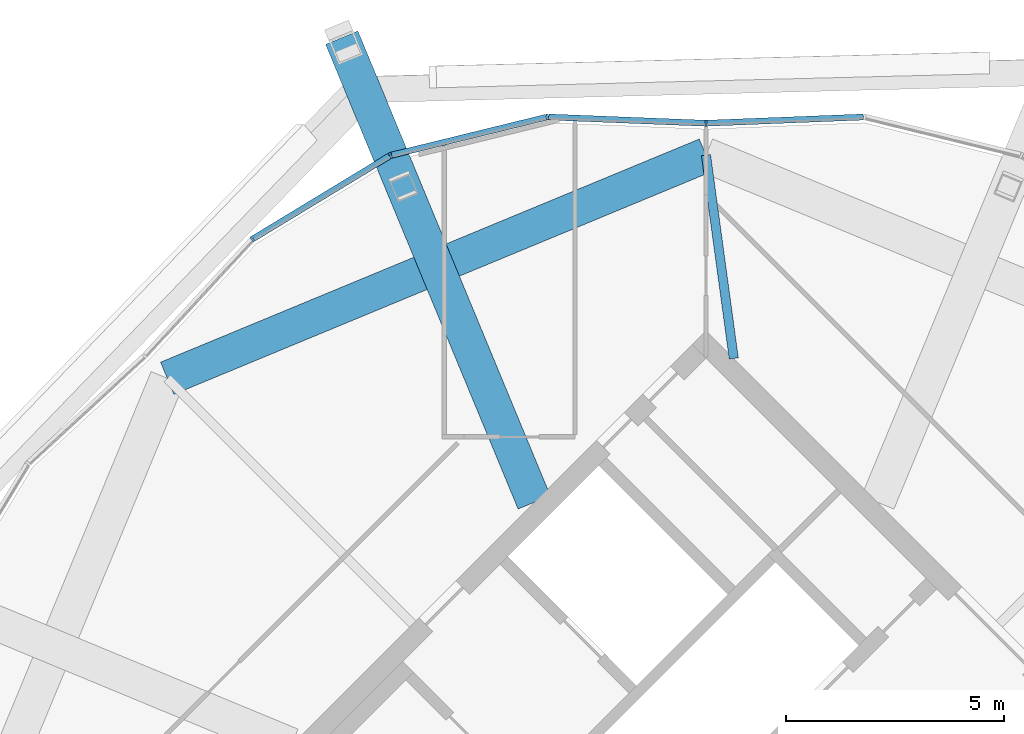
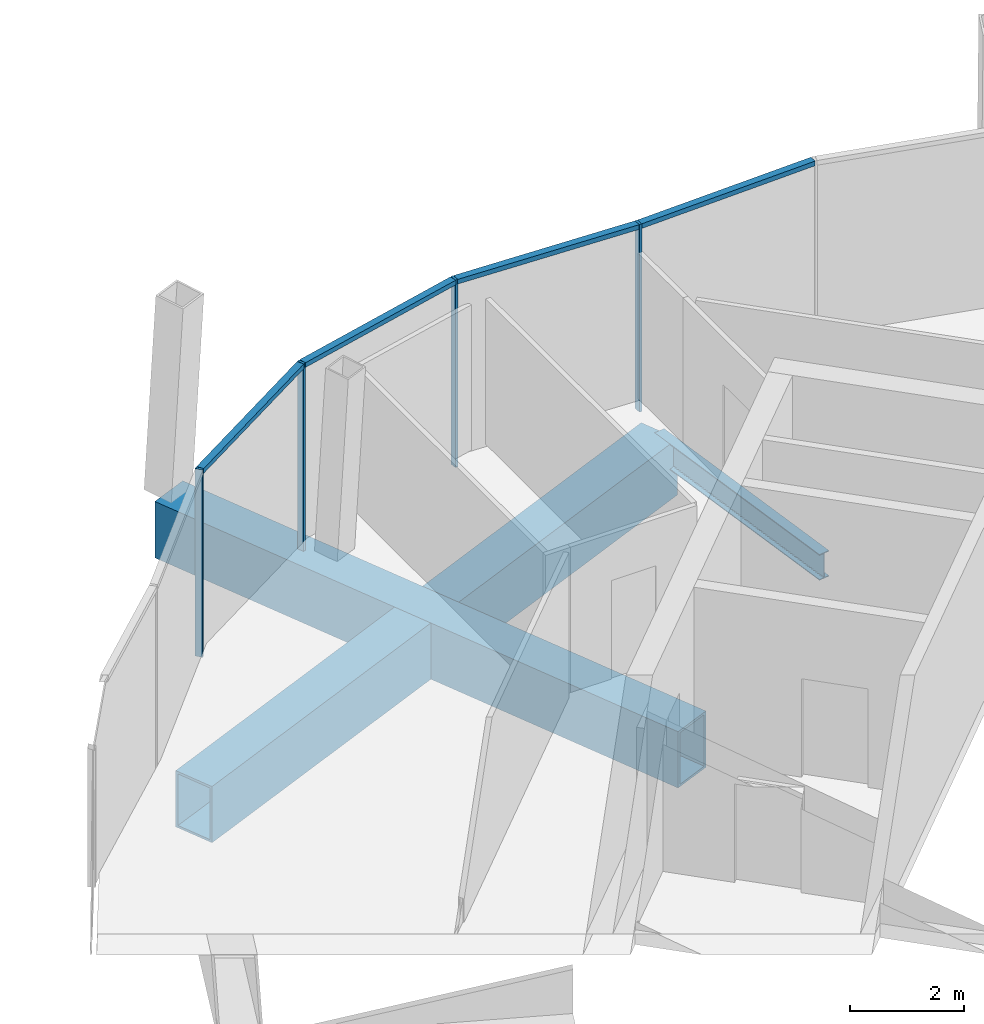
# One storey, part 23 of 34: 8 members, 3 beams, 2 elements without a shape of their own.
"""IFC4 building model written with IfcOpenShell, lengths in metres."""

from ifc_helpers import new_model, si_unit, direction, frame, origin, origin_2d, place, context, subcontext, project, spatial, rectangle, hollow_rectangle, i_section, extrude, material, material_profile, profile_set, type_object, element, aggregate, save


model = new_model("IFC4")

# Units and contexts
model_context = context("Model", 3, precision=1e-05, world=origin(), true_north=direction((0.0, 1.0)))
body_context = subcontext(model_context, "Body", "Model", "MODEL_VIEW")
ifc_project = project(units=[si_unit("LENGTHUNIT", "METRE"), si_unit("AREAUNIT", "SQUARE_METRE"), si_unit("VOLUMEUNIT", "CUBIC_METRE"), si_unit("PLANEANGLEUNIT", "RADIAN"), si_unit("MASSUNIT", "GRAM", prefix="KILO")], contexts=[model_context])

# Site, building, storey
site_placement = place(None, origin())
site = spatial("IfcSite", under=ifc_project, at=site_placement, CompositionType="ELEMENT")
building_placement = place(site_placement, origin())
building = spatial("IfcBuilding", under=site, at=building_placement, Name="Ogive Gate Towers", CompositionType="ELEMENT")
storey_placement = place(building_placement, frame((0.0, 0.0, 294.0)))
storey = spatial("IfcBuildingStorey", under=building, at=storey_placement, Name="L69", CompositionType="ELEMENT", Elevation=294.0)

# Curtain wall, member
ifc_material_1 = material(Name="Pale metal aluminium", Category="aluminium")
curtain_wall_type = type_object("IfcCurtainWallType", Name="Crown lean wall", PredefinedType="NOTDEFINED", material=ifc_material_1)
curtain_wall_1_placement = place(storey_placement, origin())
curtain_wall_1 = element("IfcCurtainWall", 1, at=curtain_wall_1_placement, inside=storey, type_object=curtain_wall_type, Name="CW5 T2 ECW02", PredefinedType="NOTDEFINED")
ifc_material_profile_1 = material_profile(ifc_material_1, rectangle(XDim=0.139892578125, YDim=0.050048828125, at=origin_2d()), Name="50 x 140 aluminium box")
ifc_profile_set_1 = profile_set([ifc_material_profile_1], Name="Pale metal aluminium")
member_type_1 = type_object("IfcMemberType", Name="Crown lean wall mullion 50 x 140", PredefinedType="MULLION", material=ifc_profile_set_1)
member_1_placement = place(storey_placement, frame((35.998779296875, 18.18505859375, -0.300048828125), z_axis=(0.0, 0.0, 1.0), x_axis=(0.039608610093, -0.999215271104, 0.0)))
member_1 = element("IfcMember", 2, at=member_1_placement, type_object=member_type_1, Name="CW5 mullion", PredefinedType="MULLION", context=body_context, shape_type="SweptSolid", body=[
    extrude(rectangle(XDim=0.139892578125, YDim=0.050048828125, at=origin_2d()), origin(), (0.0, 0.0, 1.0), 4.0),
])

# Curtain wall, members
curtain_wall_2_placement = place(storey_placement, origin())
curtain_wall_2 = element("IfcCurtainWall", 3, at=curtain_wall_2_placement, inside=storey, type_object=curtain_wall_type, Name="CW5 T2 ECW03", PredefinedType="NOTDEFINED")
member_2_placement = place(storey_placement, frame((25.6083984375, 15.529296875, -0.300048828125), z_axis=(0.0, 0.0, 1.0), x_axis=(0.632759389826, -0.77434847103, 0.0)))
member_2 = element("IfcMember", 4, at=member_2_placement, type_object=member_type_1, Name="CW5 mullion", PredefinedType="MULLION", context=body_context, shape_type="SweptSolid", body=[
    extrude(rectangle(XDim=0.139892578125, YDim=0.050048828125, at=origin_2d()), origin(), (0.0, 0.0, 1.0), 4.0),
])
member_3_placement = place(storey_placement, frame((28.772705078125, 17.448486328125, -0.300048828125), z_axis=(0.0, 0.0, 1.0), x_axis=(0.382683432365, -0.923879532511, 0.0)))
member_3 = element("IfcMember", 5, at=member_3_placement, type_object=member_type_1, Name="CW5 mullion", PredefinedType="MULLION", context=body_context, shape_type="SweptSolid", body=[
    extrude(rectangle(XDim=0.139892578125, YDim=0.050048828125, at=origin_2d()), origin(), (0.0, 0.0, 1.0), 4.0),
])
member_4_placement = place(storey_placement, frame((32.366943359375, 18.328857421875, -0.300048828125), z_axis=(0.0, 0.0, 1.0), x_axis=(0.100101233848, -0.99497725752, 0.0)))
member_4 = element("IfcMember", 6, at=member_4_placement, type_object=member_type_1, Name="CW5 mullion", PredefinedType="MULLION", context=body_context, shape_type="SweptSolid", body=[
    extrude(rectangle(XDim=0.139892578125, YDim=0.050048828125, at=origin_2d()), origin(), (0.0, 0.0, 1.0), 4.0),
])

# Member
ifc_material_profile_2 = material_profile(ifc_material_1, rectangle(XDim=0.139892578125, YDim=0.10009765625, at=origin_2d()), Name="100 x 140 aluminium box")
ifc_profile_set_2 = profile_set([ifc_material_profile_2], Name="Pale metal aluminium")
member_type_2 = type_object("IfcMemberType", Name="Crown lean wall transom 100 x 140", PredefinedType="USERDEFINED", material=ifc_profile_set_2)
member_5_placement = place(storey_placement, frame((36.023681640625, 18.18603515625, 3.64990234375), z_axis=(0.99921601742, 0.039589778104, 0.0), x_axis=(-0.039589778104, 0.99921601742, 0.0)))
member_5 = element("IfcMember", 7, at=member_5_placement, type_object=member_type_2, Name="CW5 transom", ObjectType="TRANSOM", PredefinedType="USERDEFINED", context=body_context, shape_type="SweptSolid", body=[
    extrude(rectangle(XDim=0.139892578125, YDim=0.10009765625, at=origin_2d()), origin(), (0.0, 0.0, 1.0), 3.5830078125),
])

aggregate(curtain_wall_1, [member_1, member_5])

member_6_placement = place(storey_placement, frame((25.63330078125, 15.544677734375, 3.64990234375), z_axis=(0.854998787074, 0.518629997302, 0.0), x_axis=(-0.518629997302, 0.854998787074, 0.0)))
member_6 = element("IfcMember", 8, at=member_6_placement, type_object=member_type_2, Name="CW5 transom", ObjectType="TRANSOM", PredefinedType="USERDEFINED", context=body_context, shape_type="SweptSolid", body=[
    extrude(rectangle(XDim=0.139892578125, YDim=0.10009765625, at=origin_2d()), origin(), (0.0, 0.0, 1.0), 3.64208984375),
])

member_7_placement = place(storey_placement, frame((28.80126953125, 17.455810546875, 3.64990234375), z_axis=(0.971286879925, 0.237911321475, 0.0), x_axis=(-0.237911321475, 0.971286879925, 0.0)))
member_7 = element("IfcMember", 9, at=member_7_placement, type_object=member_type_2, Name="CW5 transom", ObjectType="TRANSOM", PredefinedType="USERDEFINED", context=body_context, shape_type="SweptSolid", body=[
    extrude(rectangle(XDim=0.139892578125, YDim=0.10009765625, at=origin_2d()), origin(), (0.0, 0.0, 1.0), 3.641845703125),
])

member_8_placement = place(storey_placement, frame((32.396240234375, 18.327880859375, 3.64990234375), z_axis=(0.99921601742, -0.039589778104, 0.0), x_axis=(0.039589778104, 0.99921601742, 0.0)))
member_8 = element("IfcMember", 10, at=member_8_placement, type_object=member_type_2, Name="CW5 transom", ObjectType="TRANSOM", PredefinedType="USERDEFINED", context=body_context, shape_type="SweptSolid", body=[
    extrude(rectangle(XDim=0.139892578125, YDim=0.10009765625, at=origin_2d()), origin(), (0.0, 0.0, 1.0), 3.5830078125),
])

aggregate(curtain_wall_2, [member_2, member_3, member_6, member_4, member_7, member_8])

# Beams
ifc_material_2 = material(Name="Steel SM460", Category="steel")
ifc_material_profile_3 = material_profile(ifc_material_2, hollow_rectangle(XDim=0.800048828125, YDim=1.199951171875, WallThickness=0.050048828125, at=origin_2d()), Name="BX 1200x800x50")
ifc_profile_set_3 = profile_set([ifc_material_profile_3], Name="Steel SM460")
beam_type_1 = type_object("IfcBeamType", Name="Edge girder BX 1200x800x50", PredefinedType="BEAM", material=ifc_profile_set_3)
beam_1_placement = place(storey_placement, frame((36.0, 17.455078125, -0.89990234375), z_axis=(-0.923876732551, -0.382690191996, 0.0), x_axis=(0.382690191996, -0.923876732551, 0.0)))
element("IfcBeam", 11, at=beam_1_placement, inside=storey, type_object=beam_type_1, Name="T2/L69/SBM030", PredefinedType="BEAM", context=body_context, shape_type="SweptSolid", body=[
    extrude(hollow_rectangle(XDim=0.800048828125, YDim=1.199951171875, WallThickness=0.050048828125, at=origin_2d()), origin(), (0.0, 0.0, 1.0), 13.359619140625),
])
ifc_material_3 = material(Name="Steel SM355", Category="steel")
ifc_material_profile_4 = material_profile(ifc_material_3, i_section(OverallWidth=0.2099609375, OverallDepth=0.550048828125, WebThickness=0.010986328125, FlangeThickness=0.01708984375, FilletRadius=0.02392578125, at=origin_2d()), Name="IPE 550")
ifc_profile_set_4 = profile_set([ifc_material_profile_4], Name="Steel SM355")
beam_type_2 = type_object("IfcBeamType", Name="Radial floor beam IPE 550", PredefinedType="BEAM", material=ifc_profile_set_4)
beam_2_placement = place(storey_placement, frame((36.636474609375, 12.798583984375, -0.574951171875), z_axis=(-0.135426145155, 0.99078744401, 0.0), x_axis=(-0.99078744401, -0.135426145155, 0.0)))
element("IfcBeam", 12, at=beam_2_placement, inside=storey, type_object=beam_type_2, Name="T2/L69/SBM019", PredefinedType="BEAM", context=body_context, shape_type="SweptSolid", body=[
    extrude(i_section(OverallWidth=0.2099609375, OverallDepth=0.550048828125, WebThickness=0.010986328125, FlangeThickness=0.01708984375, FilletRadius=0.02392578125, at=origin_2d()), origin(), (0.0, 0.0, 1.0), 4.69970703125),
])
ifc_material_profile_5 = material_profile(ifc_material_2, hollow_rectangle(XDim=0.800048828125, YDim=1.199951171875, WallThickness=0.050048828125, at=origin_2d()), Name="BX 1200x800x50")
ifc_profile_set_5 = profile_set([ifc_material_profile_5], Name="Steel SM460")
beam_type_3 = type_object("IfcBeamType", Name="Transfer radial beam BX 1200x800x50", PredefinedType="BEAM", material=ifc_profile_set_5)
beam_3_placement = place(storey_placement, frame((32.06494140625, 9.5, -0.89990234375), z_axis=(-0.382684265017, 0.923879187615, 0.0), x_axis=(-0.923879187615, -0.382684265017, 0.0)))
element("IfcBeam", 13, at=beam_3_placement, inside=storey, type_object=beam_type_3, Name="T2/L69/SBM020", PredefinedType="BEAM", context=body_context, shape_type="SweptSolid", body=[
    extrude(hollow_rectangle(XDim=0.800048828125, YDim=1.199951171875, WallThickness=0.050048828125, at=origin_2d()), origin(), (0.0, 0.0, 1.0), 11.5224609375),
])

save(model, "model.ifc")
